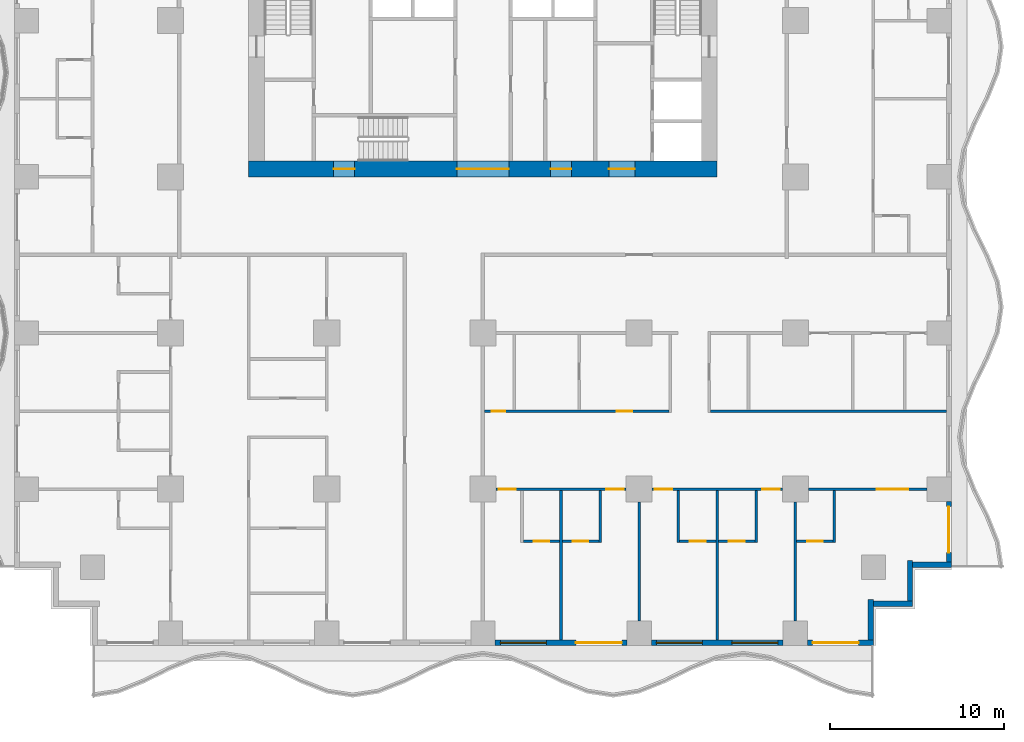
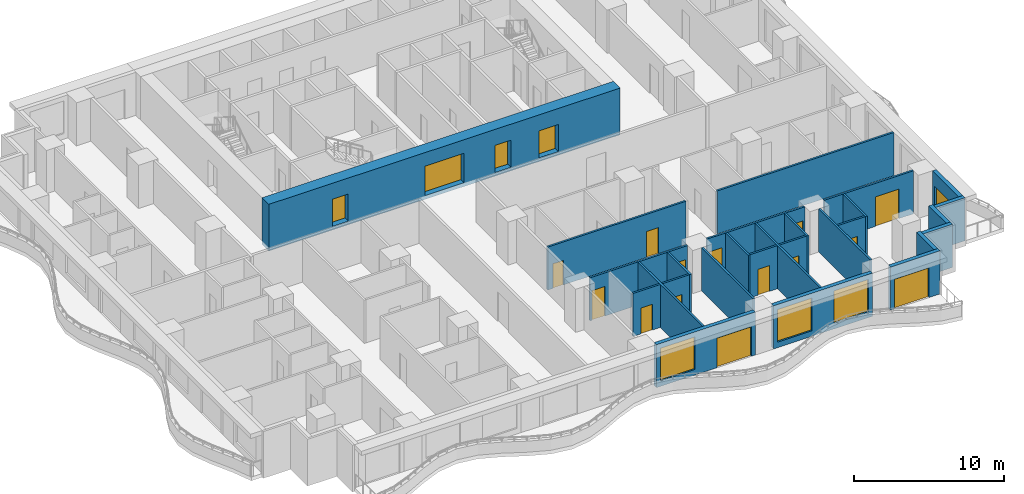
# One storey, part 3 of 13: 27 walls, 19 doors, 3 windows, 22 openings.
"""IFC4 building model written with IfcOpenShell, lengths in metres."""

from ifc_helpers import new_model, si_unit, direction, frame, frame_2d, origin, place, context, subcontext, project, spatial, rectangle, extrude, material, layer, layer_set, type_object, element, fill, save


model = new_model("IFC4")

# Units and contexts
model_context = context("Model", 3, precision=1e-05, world=origin(), true_north=direction((0.0, 1.0)))
body_context = subcontext(model_context, "Body", "Model", "MODEL_VIEW")
ifc_project = project(units=[si_unit("LENGTHUNIT", "METRE"), si_unit("AREAUNIT", "SQUARE_METRE"), si_unit("VOLUMEUNIT", "CUBIC_METRE"), si_unit("PLANEANGLEUNIT", "RADIAN"), si_unit("MASSUNIT", "GRAM", prefix="KILO")], contexts=[model_context])

# Site, building, storey
site_placement = place(None, origin())
site = spatial("IfcSite", under=ifc_project, at=site_placement, CompositionType="ELEMENT")
building_placement = place(site_placement, origin())
building = spatial("IfcBuilding", under=site, at=building_placement, Name="Orbiselva Terraces", CompositionType="ELEMENT")
storey_placement = place(building_placement, frame((0.0, 0.0, 53.0)))
storey = spatial("IfcBuildingStorey", under=building, at=storey_placement, Name="L13", CompositionType="ELEMENT", Elevation=53.0)

# Wall, openings, doors
ifc_material_1 = material(Name="Concrete C80/95", Category="concrete")
ifc_layer_1 = layer(ifc_material_1, 0.9)
ifc_layer_set_1 = layer_set([ifc_layer_1], Name="Concrete C80/95")
wall_type_1 = type_object("IfcWallType", Name="CORE WALL 900", PredefinedType="SHEAR", material=ifc_layer_set_1)
wall_1_placement = place(storey_placement, frame((-13.5, 4.95, -0.3), z_axis=(0.0, 0.0, 1.0), x_axis=(1.0, 0.0, 0.0)))
wall_1 = element("IfcWall", 1, at=wall_1_placement, inside=storey, type_object=wall_type_1, Name="Core wall L13 south", PredefinedType="SHEAR", context=body_context, shape_type="SweptSolid", body=[
    extrude(rectangle(XDim=27.0, YDim=0.9, at=frame_2d((13.5, 0.0))), origin(), (0.0, 0.0, 1.0), 3.8),
])
opening_1_placement = place(wall_1_placement, frame((12.0, 0.0, 0.3)))
opening_1 = element("IfcOpeningElement", 2, at=opening_1_placement, cuts=wall_1, Name="Opening DL3000", PredefinedType="OPENING", context=body_context, shape_type="SweptSolid", body=[
    extrude(rectangle(XDim=3.0, YDim=2.4, at=frame_2d((1.5, 1.2))), frame((0.0, 0.46, 0.0), z_axis=(0.0, -1.0, 0.0), x_axis=(1.0, 0.0, 0.0)), (0.0, 0.0, 1.0), 0.92),
])
opening_2_placement = place(wall_1_placement, frame((4.9, 0.0, 0.3)))
opening_2 = element("IfcOpeningElement", 3, at=opening_2_placement, cuts=wall_1, Name="Opening DS1200", PredefinedType="OPENING", context=body_context, shape_type="SweptSolid", body=[
    extrude(rectangle(XDim=1.2, YDim=2.2, at=frame_2d((0.6, 1.1))), frame((0.0, 0.46, 0.0), z_axis=(0.0, -1.0, 0.0), x_axis=(1.0, 0.0, 0.0)), (0.0, 0.0, 1.0), 0.92),
])
opening_3_placement = place(wall_1_placement, frame((20.75, 0.0, 0.3)))
opening_3 = element("IfcOpeningElement", 4, at=opening_3_placement, cuts=wall_1, Name="Opening DF1500", PredefinedType="OPENING", context=body_context, shape_type="SweptSolid", body=[
    extrude(rectangle(XDim=1.5, YDim=2.2, at=frame_2d((0.75, 1.1))), frame((0.0, 0.46, 0.0), z_axis=(0.0, -1.0, 0.0), x_axis=(1.0, 0.0, 0.0)), (0.0, 0.0, 1.0), 0.92),
])
opening_4_placement = place(wall_1_placement, frame((17.4, 0.0, 0.3)))
opening_4 = element("IfcOpeningElement", 5, at=opening_4_placement, cuts=wall_1, Name="Opening DV1200", PredefinedType="OPENING", context=body_context, shape_type="SweptSolid", body=[
    extrude(rectangle(XDim=1.2, YDim=2.2, at=frame_2d((0.6, 1.1))), frame((0.0, 0.46, 0.0), z_axis=(0.0, -1.0, 0.0), x_axis=(1.0, 0.0, 0.0)), (0.0, 0.0, 1.0), 0.92),
])
ifc_material_2 = material(Name="Steel fire door", Category="steel")
door_type_1 = type_object("IfcDoorType", Name="FFL DOOR 1500", OperationType="DOUBLE_DOOR_SINGLE_SWING", PredefinedType="DOOR", material=ifc_material_2)
door_1_placement = place(opening_3_placement, frame((1.5, 0.0, 0.0), z_axis=(0.0, 0.0, 1.0), x_axis=(-1.0, 0.0, 0.0)))
door_1 = element("IfcDoor", 6, at=door_1_placement, inside=storey, type_object=door_type_1, Name="L13 FIRE-FIGHTING LOBBY door", OperationType="DOUBLE_DOOR_SINGLE_SWING", OverallHeight=2.2, OverallWidth=1.5, PredefinedType="DOOR", context=body_context, shape_type="SweptSolid", body=[
    extrude(rectangle(XDim=1.5, YDim=2.2, at=frame_2d((0.75, 1.1))), frame((0.0, 0.025, 0.0), z_axis=(0.0, -1.0, 0.0), x_axis=(1.0, 0.0, 0.0)), (0.0, 0.0, 1.0), 0.05),
])
fill(opening_3, door_1)
door_type_2 = type_object("IfcDoorType", Name="LOBBY DOOR 3000", OperationType="DOUBLE_DOOR_SINGLE_SWING", PredefinedType="DOOR", material=ifc_material_2)
door_2_placement = place(opening_1_placement, frame((3.0, 0.0, 0.0), z_axis=(0.0, 0.0, 1.0), x_axis=(-1.0, 0.0, 0.0)))
door_2 = element("IfcDoor", 7, at=door_2_placement, inside=storey, type_object=door_type_2, Name="L13 LIFT LOBBY door", OperationType="DOUBLE_DOOR_SINGLE_SWING", OverallHeight=2.4, OverallWidth=3.0, PredefinedType="DOOR", context=body_context, shape_type="SweptSolid", body=[
    extrude(rectangle(XDim=3.0, YDim=2.4, at=frame_2d((1.5, 1.2))), frame((0.0, 0.025, 0.0), z_axis=(0.0, -1.0, 0.0), x_axis=(1.0, 0.0, 0.0)), (0.0, 0.0, 1.0), 0.05),
])
fill(opening_1, door_2)
door_type_3 = type_object("IfcDoorType", Name="SERVICE DOOR 1200", OperationType="NOTDEFINED", PredefinedType="DOOR", material=ifc_material_2)
door_3_placement = place(opening_4_placement, frame((1.2, 0.0, 0.0), z_axis=(0.0, 0.0, 1.0), x_axis=(-1.0, 0.0, 0.0)))
door_3 = element("IfcDoor", 8, at=door_3_placement, inside=storey, type_object=door_type_3, Name="L13 SERVICE ROOM door", OperationType="SINGLE_SWING_RIGHT", OverallHeight=2.2, OverallWidth=1.2, PredefinedType="DOOR", context=body_context, shape_type="SweptSolid", body=[
    extrude(rectangle(XDim=1.2, YDim=2.2, at=frame_2d((0.6, 1.1))), frame((0.0, 0.025, 0.0), z_axis=(0.0, -1.0, 0.0), x_axis=(1.0, 0.0, 0.0)), (0.0, 0.0, 1.0), 0.05),
])
fill(opening_4, door_3)
door_type_4 = type_object("IfcDoorType", Name="STAIR DOOR 1200", OperationType="NOTDEFINED", PredefinedType="DOOR", material=ifc_material_2)
door_4_placement = place(opening_2_placement, frame((1.2, 0.0, 0.0), z_axis=(0.0, 0.0, 1.0), x_axis=(-1.0, 0.0, 0.0)))
door_4 = element("IfcDoor", 9, at=door_4_placement, inside=storey, type_object=door_type_4, Name="L13 EXIT STAIR S3 door", OperationType="SINGLE_SWING_LEFT", OverallHeight=2.2, OverallWidth=1.2, PredefinedType="DOOR", context=body_context, shape_type="SweptSolid", body=[
    extrude(rectangle(XDim=1.2, YDim=2.2, at=frame_2d((0.6, 1.1))), frame((0.0, 0.025, 0.0), z_axis=(0.0, -1.0, 0.0), x_axis=(1.0, 0.0, 0.0)), (0.0, 0.0, 1.0), 0.05),
])
fill(opening_2, door_4)

# Wall, openings, door, window
ifc_material_3 = material(Name="Terracotta cladding on masonry backing", Category="masonry")
ifc_layer_2 = layer(ifc_material_3, 0.3)
ifc_layer_set_2 = layer_set([ifc_layer_2], Name="Terracotta cladding on masonry backing")
wall_type_2 = type_object("IfcWallType", Name="ENV-WALL-TERRACOTTA-300", PredefinedType="SOLIDWALL", material=ifc_layer_set_2)
wall_2_placement = place(storey_placement, frame((8.3, -22.35, 0.0), z_axis=(0.0, 0.0, 1.0), x_axis=(-1.0, 0.0, 0.0)))
wall_2 = element("IfcWall", 10, at=wall_2_placement, inside=storey, type_object=wall_type_2, Name="Facade wall L13 S", PredefinedType="SOLIDWALL", context=body_context, shape_type="SweptSolid", body=[
    extrude(rectangle(XDim=7.6, YDim=0.3, at=frame_2d((3.8, 0.0))), origin(), (0.0, 0.0, 1.0), 3.5),
])
opening_5_placement = place(wall_2_placement, frame((4.65, 0.0, 0.45)))
opening_5 = element("IfcOpeningElement", 11, at=opening_5_placement, cuts=wall_2, Name="Opening WN3", PredefinedType="OPENING", context=body_context, shape_type="SweptSolid", body=[
    extrude(rectangle(XDim=2.65, YDim=2.65, at=frame_2d((1.325, 1.325))), frame((0.0, 0.16, 0.0), z_axis=(0.0, -1.0, 0.0), x_axis=(1.0, 0.0, 0.0)), (0.0, 0.0, 1.0), 0.32),
])
opening_6_placement = place(wall_2_placement, frame((0.3, 0.0, 0.0)))
opening_6 = element("IfcOpeningElement", 12, at=opening_6_placement, cuts=wall_2, Name="Opening Z1-D-E03", PredefinedType="OPENING", context=body_context, shape_type="SweptSolid", body=[
    extrude(rectangle(XDim=2.65, YDim=2.4, at=frame_2d((1.325, 1.2))), frame((0.0, 0.16, 0.0), z_axis=(0.0, -1.0, 0.0), x_axis=(1.0, 0.0, 0.0)), (0.0, 0.0, 1.0), 0.32),
])
ifc_material_4 = material(Name="Clear low-e glazing in aluminium frame", Category="aluminium")
door_type_5 = type_object("IfcDoorType", Name="BALCONY DOOR 2650 X 2400", OperationType="DOUBLE_DOOR_SLIDING", PredefinedType="DOOR", material=ifc_material_4)
door_5_placement = place(opening_6_placement, origin())
door_5 = element("IfcDoor", 13, at=door_5_placement, inside=storey, type_object=door_type_5, Name="Z1-D-E03", OperationType="SINGLE_SWING_LEFT", OverallHeight=2.4, OverallWidth=2.65, PredefinedType="DOOR", context=body_context, shape_type="SweptSolid", body=[
    extrude(rectangle(XDim=2.65, YDim=2.4, at=frame_2d((1.325, 1.2))), frame((0.0, 0.025, 0.0), z_axis=(0.0, -1.0, 0.0), x_axis=(1.0, 0.0, 0.0)), (0.0, 0.0, 1.0), 0.05),
])
fill(opening_6, door_5)
window_type = type_object("IfcWindowType", Name="WINDOW 2650 X 2650 S450", PartitioningType="TRIPLE_PANEL_VERTICAL", PredefinedType="WINDOW", material=ifc_material_4)
window_1_placement = place(opening_5_placement, origin())
window_1 = element("IfcWindow", 14, at=window_1_placement, inside=storey, type_object=window_type, Name="Window L13 S", OverallHeight=2.65, OverallWidth=2.65, PartitioningType="SINGLE_PANEL", PredefinedType="WINDOW", context=body_context, shape_type="SweptSolid", body=[
    extrude(rectangle(XDim=2.65, YDim=2.65, at=frame_2d((1.325, 1.325))), frame((0.0, 0.03, 0.0), z_axis=(0.0, -1.0, 0.0), x_axis=(1.0, 0.0, 0.0)), (0.0, 0.0, 1.0), 0.06),
])
fill(opening_5, window_1)

# Wall, openings, windows
wall_3_placement = place(storey_placement, frame((17.3, -22.35, 0.0), z_axis=(0.0, 0.0, 1.0), x_axis=(-1.0, 0.0, 0.0)))
wall_3 = element("IfcWall", 15, at=wall_3_placement, inside=storey, type_object=wall_type_2, Name="Facade wall L13 S", PredefinedType="SOLIDWALL", context=body_context, shape_type="SweptSolid", body=[
    extrude(rectangle(XDim=7.6, YDim=0.3, at=frame_2d((3.8, 0.0))), origin(), (0.0, 0.0, 1.0), 3.5),
])
opening_7_placement = place(wall_3_placement, frame((4.65, 0.0, 0.45)))
opening_7 = element("IfcOpeningElement", 16, at=opening_7_placement, cuts=wall_3, Name="Opening WN3", PredefinedType="OPENING", context=body_context, shape_type="SweptSolid", body=[
    extrude(rectangle(XDim=2.65, YDim=2.65, at=frame_2d((1.325, 1.325))), frame((0.0, 0.16, 0.0), z_axis=(0.0, -1.0, 0.0), x_axis=(1.0, 0.0, 0.0)), (0.0, 0.0, 1.0), 0.32),
])
opening_8_placement = place(wall_3_placement, frame((0.3, 0.0, 0.45)))
opening_8 = element("IfcOpeningElement", 17, at=opening_8_placement, cuts=wall_3, Name="Opening WN3", PredefinedType="OPENING", context=body_context, shape_type="SweptSolid", body=[
    extrude(rectangle(XDim=2.65, YDim=2.65, at=frame_2d((1.325, 1.325))), frame((0.0, 0.16, 0.0), z_axis=(0.0, -1.0, 0.0), x_axis=(1.0, 0.0, 0.0)), (0.0, 0.0, 1.0), 0.32),
])
window_2_placement = place(opening_7_placement, origin())
window_2 = element("IfcWindow", 18, at=window_2_placement, inside=storey, type_object=window_type, Name="Window L13 S", OverallHeight=2.65, OverallWidth=2.65, PartitioningType="SINGLE_PANEL", PredefinedType="WINDOW", context=body_context, shape_type="SweptSolid", body=[
    extrude(rectangle(XDim=2.65, YDim=2.65, at=frame_2d((1.325, 1.325))), frame((0.0, 0.03, 0.0), z_axis=(0.0, -1.0, 0.0), x_axis=(1.0, 0.0, 0.0)), (0.0, 0.0, 1.0), 0.06),
])
fill(opening_7, window_2)
window_3_placement = place(opening_8_placement, origin())
window_3 = element("IfcWindow", 19, at=window_3_placement, inside=storey, type_object=window_type, Name="Window L13 S", OverallHeight=2.65, OverallWidth=2.65, PartitioningType="SINGLE_PANEL", PredefinedType="WINDOW", context=body_context, shape_type="SweptSolid", body=[
    extrude(rectangle(XDim=2.65, YDim=2.65, at=frame_2d((1.325, 1.325))), frame((0.0, 0.03, 0.0), z_axis=(0.0, -1.0, 0.0), x_axis=(1.0, 0.0, 0.0)), (0.0, 0.0, 1.0), 0.06),
])
fill(opening_8, window_3)

# Wall, opening, door
wall_4_placement = place(storey_placement, frame((22.5, -22.35, 0.0), z_axis=(0.0, 0.0, 1.0), x_axis=(-1.0, 0.0, 0.0)))
wall_4 = element("IfcWall", 20, at=wall_4_placement, inside=storey, type_object=wall_type_2, Name="Facade wall L13 S", PredefinedType="SOLIDWALL", context=body_context, shape_type="SweptSolid", body=[
    extrude(rectangle(XDim=3.8, YDim=0.3, at=frame_2d((1.9, 0.0))), origin(), (0.0, 0.0, 1.0), 3.5),
])
opening_9_placement = place(wall_4_placement, frame((0.85, 0.0, 0.0)))
opening_9 = element("IfcOpeningElement", 21, at=opening_9_placement, cuts=wall_4, Name="Opening Z1-D-E15", PredefinedType="OPENING", context=body_context, shape_type="SweptSolid", body=[
    extrude(rectangle(XDim=2.65, YDim=2.4, at=frame_2d((1.325, 1.2))), frame((0.0, 0.16, 0.0), z_axis=(0.0, -1.0, 0.0), x_axis=(1.0, 0.0, 0.0)), (0.0, 0.0, 1.0), 0.32),
])
door_6_placement = place(opening_9_placement, origin())
door_6 = element("IfcDoor", 22, at=door_6_placement, inside=storey, type_object=door_type_5, Name="Z1-D-E15", OperationType="SINGLE_SWING_LEFT", OverallHeight=2.4, OverallWidth=2.65, PredefinedType="DOOR", context=body_context, shape_type="SweptSolid", body=[
    extrude(rectangle(XDim=2.65, YDim=2.4, at=frame_2d((1.325, 1.2))), frame((0.0, 0.025, 0.0), z_axis=(0.0, -1.0, 0.0), x_axis=(1.0, 0.0, 0.0)), (0.0, 0.0, 1.0), 0.05),
])
fill(opening_9, door_6)

# Walls
wall_5_placement = place(storey_placement, frame((22.35, -19.85, 0.0), z_axis=(0.0, 0.0, 1.0), x_axis=(0.0, -1.0, 0.0)))
element("IfcWall", 23, at=wall_5_placement, inside=storey, type_object=wall_type_2, Name="Facade wall L13 STEP", PredefinedType="SOLIDWALL", context=body_context, shape_type="SweptSolid", body=[
    extrude(rectangle(XDim=2.35, YDim=0.3, at=frame_2d((1.175, 0.0))), origin(), (0.0, 0.0, 1.0), 3.5),
])
wall_6_placement = place(storey_placement, frame((24.75, -20.1, 0.0), z_axis=(0.0, 0.0, 1.0), x_axis=(-1.0, 0.0, 0.0)))
element("IfcWall", 24, at=wall_6_placement, inside=storey, type_object=wall_type_2, Name="Facade wall L13 STEP", PredefinedType="SOLIDWALL", context=body_context, shape_type="SweptSolid", body=[
    extrude(rectangle(XDim=2.25, YDim=0.3, at=frame_2d((1.125, 0.0))), origin(), (0.0, 0.0, 1.0), 3.5),
])
wall_7_placement = place(storey_placement, frame((24.6, -17.6, 0.0), z_axis=(0.0, 0.0, 1.0), x_axis=(0.0, -1.0, 0.0)))
element("IfcWall", 25, at=wall_7_placement, inside=storey, type_object=wall_type_2, Name="Facade wall L13 STEP", PredefinedType="SOLIDWALL", context=body_context, shape_type="SweptSolid", body=[
    extrude(rectangle(XDim=2.35, YDim=0.3, at=frame_2d((1.175, 0.0))), origin(), (0.0, 0.0, 1.0), 3.5),
])
wall_8_placement = place(storey_placement, frame((27.0, -17.85, 0.0), z_axis=(0.0, 0.0, 1.0), x_axis=(-1.0, 0.0, 0.0)))
element("IfcWall", 26, at=wall_8_placement, inside=storey, type_object=wall_type_2, Name="Facade wall L13 STEP", PredefinedType="SOLIDWALL", context=body_context, shape_type="SweptSolid", body=[
    extrude(rectangle(XDim=2.25, YDim=0.3, at=frame_2d((1.125, 0.0))), origin(), (0.0, 0.0, 1.0), 3.5),
])

# Wall, opening, door
wall_9_placement = place(storey_placement, frame((26.85, -14.2, 0.0), z_axis=(0.0, 0.0, 1.0), x_axis=(0.0, -1.0, 0.0)))
wall_9 = element("IfcWall", 27, at=wall_9_placement, inside=storey, type_object=wall_type_2, Name="Facade wall L13 E", PredefinedType="SOLIDWALL", context=body_context, shape_type="SweptSolid", body=[
    extrude(rectangle(XDim=3.5, YDim=0.3, at=frame_2d((1.75, 0.0))), origin(), (0.0, 0.0, 1.0), 3.5),
])
opening_10_placement = place(wall_9_placement, frame((0.3, 0.0, 0.0)))
opening_10 = element("IfcOpeningElement", 28, at=opening_10_placement, cuts=wall_9, Name="Opening Z1-D-E05", PredefinedType="OPENING", context=body_context, shape_type="SweptSolid", body=[
    extrude(rectangle(XDim=2.65, YDim=2.4, at=frame_2d((1.325, 1.2))), frame((0.0, 0.16, 0.0), z_axis=(0.0, -1.0, 0.0), x_axis=(1.0, 0.0, 0.0)), (0.0, 0.0, 1.0), 0.32),
])
door_7_placement = place(opening_10_placement, origin())
door_7 = element("IfcDoor", 29, at=door_7_placement, inside=storey, type_object=door_type_5, Name="Z1-D-E05", OperationType="SINGLE_SWING_LEFT", OverallHeight=2.4, OverallWidth=2.65, PredefinedType="DOOR", context=body_context, shape_type="SweptSolid", body=[
    extrude(rectangle(XDim=2.65, YDim=2.4, at=frame_2d((1.325, 1.2))), frame((0.0, 0.025, 0.0), z_axis=(0.0, -1.0, 0.0), x_axis=(1.0, 0.0, 0.0)), (0.0, 0.0, 1.0), 0.05),
])
fill(opening_10, door_7)

ifc_material_5 = material(Name="Plasterboard on steel stud partition", Category="steel")
ifc_layer_3 = layer(ifc_material_5, 0.15)
ifc_layer_set_3 = layer_set([ifc_layer_3], Name="Plasterboard on steel stud partition")
wall_type_3 = type_object("IfcWallType", Name="UNIT-PARTITION-150", PredefinedType="PARTITIONING", material=ifc_layer_set_3)
wall_10_placement = place(storey_placement, frame((2.325, -16.5, 0.0), z_axis=(0.0, 0.0, 1.0), x_axis=(1.0, 0.0, 0.0)))
wall_10 = element("IfcWall", 30, at=wall_10_placement, inside=storey, type_object=wall_type_3, Name="PARTITION L13-002", PredefinedType="PARTITIONING", context=body_context, shape_type="SweptSolid", body=[
    extrude(rectangle(XDim=2.1, YDim=0.15, at=frame_2d((1.05, 0.0))), origin(), (0.0, 0.0, 1.0), 3.5),
])
opening_11_placement = place(wall_10_placement, frame((0.6, 0.0, 0.0)))
opening_11 = element("IfcOpeningElement", 31, at=opening_11_placement, cuts=wall_10, Name="Opening Z1-D-44", PredefinedType="OPENING", context=body_context, shape_type="SweptSolid", body=[
    extrude(rectangle(XDim=0.9, YDim=2.1, at=frame_2d((0.45, 1.05))), frame((0.0, 0.085, 0.0), z_axis=(0.0, -1.0, 0.0), x_axis=(1.0, 0.0, 0.0)), (0.0, 0.0, 1.0), 0.17),
])
ifc_material_6 = material(Name="Painted timber door leaf", Category="wood")
door_type_6 = type_object("IfcDoorType", Name="BATH DOOR 900", OperationType="NOTDEFINED", PredefinedType="DOOR", material=ifc_material_6)
door_8_placement = place(opening_11_placement, origin())
door_8 = element("IfcDoor", 32, at=door_8_placement, inside=storey, type_object=door_type_6, Name="Z1-D-44", OperationType="SINGLE_SWING_RIGHT", OverallHeight=2.1, OverallWidth=0.9, PredefinedType="DOOR", context=body_context, shape_type="SweptSolid", body=[
    extrude(rectangle(XDim=0.9, YDim=2.1, at=frame_2d((0.45, 1.05))), frame((0.0, 0.025, 0.0), z_axis=(0.0, -1.0, 0.0), x_axis=(1.0, 0.0, 0.0)), (0.0, 0.0, 1.0), 0.05),
])
fill(opening_11, door_8)

wall_11_placement = place(storey_placement, frame((4.575, -16.5, 0.0), z_axis=(0.0, 0.0, 1.0), x_axis=(1.0, 0.0, 0.0)))
wall_11 = element("IfcWall", 33, at=wall_11_placement, inside=storey, type_object=wall_type_3, Name="PARTITION L13-003", PredefinedType="PARTITIONING", context=body_context, shape_type="SweptSolid", body=[
    extrude(rectangle(XDim=2.1, YDim=0.15, at=frame_2d((1.05, 0.0))), origin(), (0.0, 0.0, 1.0), 3.5),
])
opening_12_placement = place(wall_11_placement, frame((0.6, 0.0, 0.0)))
opening_12 = element("IfcOpeningElement", 34, at=opening_12_placement, cuts=wall_11, Name="Opening Z1-D-42", PredefinedType="OPENING", context=body_context, shape_type="SweptSolid", body=[
    extrude(rectangle(XDim=0.9, YDim=2.1, at=frame_2d((0.45, 1.05))), frame((0.0, 0.085, 0.0), z_axis=(0.0, -1.0, 0.0), x_axis=(1.0, 0.0, 0.0)), (0.0, 0.0, 1.0), 0.17),
])
door_9_placement = place(opening_12_placement, origin())
door_9 = element("IfcDoor", 35, at=door_9_placement, inside=storey, type_object=door_type_6, Name="Z1-D-42", OperationType="SINGLE_SWING_LEFT", OverallHeight=2.1, OverallWidth=0.9, PredefinedType="DOOR", context=body_context, shape_type="SweptSolid", body=[
    extrude(rectangle(XDim=0.9, YDim=2.1, at=frame_2d((0.45, 1.05))), frame((0.0, 0.025, 0.0), z_axis=(0.0, -1.0, 0.0), x_axis=(1.0, 0.0, 0.0)), (0.0, 0.0, 1.0), 0.05),
])
fill(opening_12, door_9)

wall_12_placement = place(storey_placement, frame((11.325, -16.5, 0.0), z_axis=(0.0, 0.0, 1.0), x_axis=(1.0, 0.0, 0.0)))
wall_12 = element("IfcWall", 36, at=wall_12_placement, inside=storey, type_object=wall_type_3, Name="PARTITION L13-004", PredefinedType="PARTITIONING", context=body_context, shape_type="SweptSolid", body=[
    extrude(rectangle(XDim=2.1, YDim=0.15, at=frame_2d((1.05, 0.0))), origin(), (0.0, 0.0, 1.0), 3.5),
])
opening_13_placement = place(wall_12_placement, frame((0.6, 0.0, 0.0)))
opening_13 = element("IfcOpeningElement", 37, at=opening_13_placement, cuts=wall_12, Name="Opening Z1-D-40", PredefinedType="OPENING", context=body_context, shape_type="SweptSolid", body=[
    extrude(rectangle(XDim=0.9, YDim=2.1, at=frame_2d((0.45, 1.05))), frame((0.0, 0.085, 0.0), z_axis=(0.0, -1.0, 0.0), x_axis=(1.0, 0.0, 0.0)), (0.0, 0.0, 1.0), 0.17),
])
door_10_placement = place(opening_13_placement, origin())
door_10 = element("IfcDoor", 38, at=door_10_placement, inside=storey, type_object=door_type_6, Name="Z1-D-40", OperationType="SINGLE_SWING_LEFT", OverallHeight=2.1, OverallWidth=0.9, PredefinedType="DOOR", context=body_context, shape_type="SweptSolid", body=[
    extrude(rectangle(XDim=0.9, YDim=2.1, at=frame_2d((0.45, 1.05))), frame((0.0, 0.025, 0.0), z_axis=(0.0, -1.0, 0.0), x_axis=(1.0, 0.0, 0.0)), (0.0, 0.0, 1.0), 0.05),
])
fill(opening_13, door_10)

wall_13_placement = place(storey_placement, frame((13.575, -16.5, 0.0), z_axis=(0.0, 0.0, 1.0), x_axis=(1.0, 0.0, 0.0)))
wall_13 = element("IfcWall", 39, at=wall_13_placement, inside=storey, type_object=wall_type_3, Name="PARTITION L13-005", PredefinedType="PARTITIONING", context=body_context, shape_type="SweptSolid", body=[
    extrude(rectangle(XDim=2.1, YDim=0.15, at=frame_2d((1.05, 0.0))), origin(), (0.0, 0.0, 1.0), 3.5),
])
opening_14_placement = place(wall_13_placement, frame((0.6, 0.0, 0.0)))
opening_14 = element("IfcOpeningElement", 40, at=opening_14_placement, cuts=wall_13, Name="Opening Z1-D-38", PredefinedType="OPENING", context=body_context, shape_type="SweptSolid", body=[
    extrude(rectangle(XDim=0.9, YDim=2.1, at=frame_2d((0.45, 1.05))), frame((0.0, 0.085, 0.0), z_axis=(0.0, -1.0, 0.0), x_axis=(1.0, 0.0, 0.0)), (0.0, 0.0, 1.0), 0.17),
])
door_11_placement = place(opening_14_placement, origin())
door_11 = element("IfcDoor", 41, at=door_11_placement, inside=storey, type_object=door_type_6, Name="Z1-D-38", OperationType="SINGLE_SWING_LEFT", OverallHeight=2.1, OverallWidth=0.9, PredefinedType="DOOR", context=body_context, shape_type="SweptSolid", body=[
    extrude(rectangle(XDim=0.9, YDim=2.1, at=frame_2d((0.45, 1.05))), frame((0.0, 0.025, 0.0), z_axis=(0.0, -1.0, 0.0), x_axis=(1.0, 0.0, 0.0)), (0.0, 0.0, 1.0), 0.05),
])
fill(opening_14, door_11)

wall_14_placement = place(storey_placement, frame((18.075, -16.5, 0.0), z_axis=(0.0, 0.0, 1.0), x_axis=(1.0, 0.0, 0.0)))
wall_14 = element("IfcWall", 42, at=wall_14_placement, inside=storey, type_object=wall_type_3, Name="PARTITION L13-006", PredefinedType="PARTITIONING", context=body_context, shape_type="SweptSolid", body=[
    extrude(rectangle(XDim=2.1, YDim=0.15, at=frame_2d((1.05, 0.0))), origin(), (0.0, 0.0, 1.0), 3.5),
])
opening_15_placement = place(wall_14_placement, frame((0.6, 0.0, 0.0)))
opening_15 = element("IfcOpeningElement", 43, at=opening_15_placement, cuts=wall_14, Name="Opening Z1-D-36", PredefinedType="OPENING", context=body_context, shape_type="SweptSolid", body=[
    extrude(rectangle(XDim=0.9, YDim=2.1, at=frame_2d((0.45, 1.05))), frame((0.0, 0.085, 0.0), z_axis=(0.0, -1.0, 0.0), x_axis=(1.0, 0.0, 0.0)), (0.0, 0.0, 1.0), 0.17),
])
door_12_placement = place(opening_15_placement, origin())
door_12 = element("IfcDoor", 44, at=door_12_placement, inside=storey, type_object=door_type_6, Name="Z1-D-36", OperationType="SINGLE_SWING_LEFT", OverallHeight=2.1, OverallWidth=0.9, PredefinedType="DOOR", context=body_context, shape_type="SweptSolid", body=[
    extrude(rectangle(XDim=0.9, YDim=2.1, at=frame_2d((0.45, 1.05))), frame((0.0, 0.025, 0.0), z_axis=(0.0, -1.0, 0.0), x_axis=(1.0, 0.0, 0.0)), (0.0, 0.0, 1.0), 0.05),
])
fill(opening_15, door_12)

# Wall, openings, doors
wall_15_placement = place(storey_placement, frame((8.25, -13.5, 0.0), z_axis=(0.0, 0.0, 1.0), x_axis=(-1.0, 0.0, 0.0)))
wall_15 = element("IfcWall", 45, at=wall_15_placement, inside=storey, type_object=wall_type_3, Name="PARTITION L13-010", PredefinedType="PARTITIONING", context=body_context, shape_type="SweptSolid", body=[
    extrude(rectangle(XDim=7.5, YDim=0.15, at=frame_2d((3.75, 0.0))), origin(), (0.0, 0.0, 1.0), 3.5),
])
opening_16_placement = place(wall_15_placement, frame((0.15, 0.0, 0.0)))
opening_16 = element("IfcOpeningElement", 46, at=opening_16_placement, cuts=wall_15, Name="Opening Z1-D-41", PredefinedType="OPENING", context=body_context, shape_type="SweptSolid", body=[
    extrude(rectangle(XDim=1.0, YDim=2.4, at=frame_2d((0.5, 1.2))), frame((0.0, 0.085, 0.0), z_axis=(0.0, -1.0, 0.0), x_axis=(1.0, 0.0, 0.0)), (0.0, 0.0, 1.0), 0.17),
])
opening_17_placement = place(wall_15_placement, frame((6.35, 0.0, 0.0)))
opening_17 = element("IfcOpeningElement", 47, at=opening_17_placement, cuts=wall_15, Name="Opening Z1-D-43", PredefinedType="OPENING", context=body_context, shape_type="SweptSolid", body=[
    extrude(rectangle(XDim=1.0, YDim=2.4, at=frame_2d((0.5, 1.2))), frame((0.0, 0.085, 0.0), z_axis=(0.0, -1.0, 0.0), x_axis=(1.0, 0.0, 0.0)), (0.0, 0.0, 1.0), 0.17),
])
door_type_7 = type_object("IfcDoorType", Name="ROOM DOOR 1000", OperationType="NOTDEFINED", PredefinedType="DOOR", material=ifc_material_6)
door_13_placement = place(opening_16_placement, origin())
door_13 = element("IfcDoor", 48, at=door_13_placement, inside=storey, type_object=door_type_7, Name="Z1-D-41", OperationType="SINGLE_SWING_LEFT", OverallHeight=2.4, OverallWidth=1.0, PredefinedType="DOOR", context=body_context, shape_type="SweptSolid", body=[
    extrude(rectangle(XDim=1.0, YDim=2.4, at=frame_2d((0.5, 1.2))), frame((0.0, 0.025, 0.0), z_axis=(0.0, -1.0, 0.0), x_axis=(1.0, 0.0, 0.0)), (0.0, 0.0, 1.0), 0.05),
])
fill(opening_16, door_13)
door_14_placement = place(opening_17_placement, origin())
door_14 = element("IfcDoor", 49, at=door_14_placement, inside=storey, type_object=door_type_7, Name="Z1-D-43", OperationType="SINGLE_SWING_RIGHT", OverallHeight=2.4, OverallWidth=1.0, PredefinedType="DOOR", context=body_context, shape_type="SweptSolid", body=[
    extrude(rectangle(XDim=1.0, YDim=2.4, at=frame_2d((0.5, 1.2))), frame((0.0, 0.025, 0.0), z_axis=(0.0, -1.0, 0.0), x_axis=(1.0, 0.0, 0.0)), (0.0, 0.0, 1.0), 0.05),
])
fill(opening_17, door_14)

wall_16_placement = place(storey_placement, frame((17.25, -13.5, 0.0), z_axis=(0.0, 0.0, 1.0), x_axis=(-1.0, 0.0, 0.0)))
wall_16 = element("IfcWall", 50, at=wall_16_placement, inside=storey, type_object=wall_type_3, Name="PARTITION L13-011", PredefinedType="PARTITIONING", context=body_context, shape_type="SweptSolid", body=[
    extrude(rectangle(XDim=7.5, YDim=0.15, at=frame_2d((3.75, 0.0))), origin(), (0.0, 0.0, 1.0), 3.5),
])
opening_18_placement = place(wall_16_placement, frame((0.15, 0.0, 0.0)))
opening_18 = element("IfcOpeningElement", 51, at=opening_18_placement, cuts=wall_16, Name="Opening Z1-D-37", PredefinedType="OPENING", context=body_context, shape_type="SweptSolid", body=[
    extrude(rectangle(XDim=1.0, YDim=2.4, at=frame_2d((0.5, 1.2))), frame((0.0, 0.085, 0.0), z_axis=(0.0, -1.0, 0.0), x_axis=(1.0, 0.0, 0.0)), (0.0, 0.0, 1.0), 0.17),
])
opening_19_placement = place(wall_16_placement, frame((6.35, 0.0, 0.0)))
opening_19 = element("IfcOpeningElement", 52, at=opening_19_placement, cuts=wall_16, Name="Opening Z1-D-39", PredefinedType="OPENING", context=body_context, shape_type="SweptSolid", body=[
    extrude(rectangle(XDim=1.0, YDim=2.4, at=frame_2d((0.5, 1.2))), frame((0.0, 0.085, 0.0), z_axis=(0.0, -1.0, 0.0), x_axis=(1.0, 0.0, 0.0)), (0.0, 0.0, 1.0), 0.17),
])
door_15_placement = place(opening_18_placement, origin())
door_15 = element("IfcDoor", 53, at=door_15_placement, inside=storey, type_object=door_type_7, Name="Z1-D-37", OperationType="SINGLE_SWING_LEFT", OverallHeight=2.4, OverallWidth=1.0, PredefinedType="DOOR", context=body_context, shape_type="SweptSolid", body=[
    extrude(rectangle(XDim=1.0, YDim=2.4, at=frame_2d((0.5, 1.2))), frame((0.0, 0.025, 0.0), z_axis=(0.0, -1.0, 0.0), x_axis=(1.0, 0.0, 0.0)), (0.0, 0.0, 1.0), 0.05),
])
fill(opening_18, door_15)
door_16_placement = place(opening_19_placement, origin())
door_16 = element("IfcDoor", 54, at=door_16_placement, inside=storey, type_object=door_type_7, Name="Z1-D-39", OperationType="SINGLE_SWING_RIGHT", OverallHeight=2.4, OverallWidth=1.0, PredefinedType="DOOR", context=body_context, shape_type="SweptSolid", body=[
    extrude(rectangle(XDim=1.0, YDim=2.4, at=frame_2d((0.5, 1.2))), frame((0.0, 0.025, 0.0), z_axis=(0.0, -1.0, 0.0), x_axis=(1.0, 0.0, 0.0)), (0.0, 0.0, 1.0), 0.05),
])
fill(opening_19, door_16)

# Wall, opening, door
wall_17_placement = place(storey_placement, frame((25.6, -13.5, 0.0), z_axis=(0.0, 0.0, 1.0), x_axis=(-1.0, 0.0, 0.0)))
wall_17 = element("IfcWall", 55, at=wall_17_placement, inside=storey, type_object=wall_type_3, Name="PARTITION L13-012", PredefinedType="PARTITIONING", context=body_context, shape_type="SweptSolid", body=[
    extrude(rectangle(XDim=6.85, YDim=0.15, at=frame_2d((3.425, 0.0))), origin(), (0.0, 0.0, 1.0), 3.5),
])
opening_20_placement = place(wall_17_placement, frame((1.1, 0.0, 0.0)))
opening_20 = element("IfcOpeningElement", 56, at=opening_20_placement, cuts=wall_17, Name="Opening Z1-D-35", PredefinedType="OPENING", context=body_context, shape_type="SweptSolid", body=[
    extrude(rectangle(XDim=1.8, YDim=2.4, at=frame_2d((0.9, 1.2))), frame((0.0, 0.085, 0.0), z_axis=(0.0, -1.0, 0.0), x_axis=(1.0, 0.0, 0.0)), (0.0, 0.0, 1.0), 0.17),
])
door_type_8 = type_object("IfcDoorType", Name="DOUBLE DOOR 1800", OperationType="NOTDEFINED", PredefinedType="DOOR", material=ifc_material_6)
door_17_placement = place(opening_20_placement, origin())
door_17 = element("IfcDoor", 57, at=door_17_placement, inside=storey, type_object=door_type_8, Name="Z1-D-35", OperationType="DOUBLE_DOOR_SINGLE_SWING", OverallHeight=2.4, OverallWidth=1.8, PredefinedType="DOOR", context=body_context, shape_type="SweptSolid", body=[
    extrude(rectangle(XDim=1.8, YDim=2.4, at=frame_2d((0.9, 1.2))), frame((0.0, 0.025, 0.0), z_axis=(0.0, -1.0, 0.0), x_axis=(1.0, 0.0, 0.0)), (0.0, 0.0, 1.0), 0.05),
])
fill(opening_20, door_17)

# Wall, openings, doors
wall_18_placement = place(storey_placement, frame((0.1, -9.0, 0.0), z_axis=(0.0, 0.0, 1.0), x_axis=(1.0, 0.0, 0.0)))
wall_18 = element("IfcWall", 58, at=wall_18_placement, inside=storey, type_object=wall_type_3, Name="PARTITION L13-017", PredefinedType="PARTITIONING", context=body_context, shape_type="SweptSolid", body=[
    extrude(rectangle(XDim=10.625, YDim=0.15, at=frame_2d((5.3125, 0.0))), origin(), (0.0, 0.0, 1.0), 3.5),
])
opening_21_placement = place(wall_18_placement, frame((7.6, 0.0, 0.0)))
opening_21 = element("IfcOpeningElement", 59, at=opening_21_placement, cuts=wall_18, Name="Opening Z1-D-32", PredefinedType="OPENING", context=body_context, shape_type="SweptSolid", body=[
    extrude(rectangle(XDim=0.9, YDim=2.1, at=frame_2d((0.45, 1.05))), frame((0.0, 0.085, 0.0), z_axis=(0.0, -1.0, 0.0), x_axis=(1.0, 0.0, 0.0)), (0.0, 0.0, 1.0), 0.17),
])
opening_22_placement = place(wall_18_placement, frame((0.4, 0.0, 0.0)))
opening_22 = element("IfcOpeningElement", 60, at=opening_22_placement, cuts=wall_18, Name="Opening Z1-D-34", PredefinedType="OPENING", context=body_context, shape_type="SweptSolid", body=[
    extrude(rectangle(XDim=0.8, YDim=2.0, at=frame_2d((0.4, 1.0))), frame((0.0, 0.085, 0.0), z_axis=(0.0, -1.0, 0.0), x_axis=(1.0, 0.0, 0.0)), (0.0, 0.0, 1.0), 0.17),
])
door_type_9 = type_object("IfcDoorType", Name="SERVICE DOOR 900", OperationType="NOTDEFINED", PredefinedType="DOOR", material=ifc_material_6)
door_18_placement = place(opening_21_placement, origin())
door_18 = element("IfcDoor", 61, at=door_18_placement, inside=storey, type_object=door_type_9, Name="Z1-D-32", OperationType="SINGLE_SWING_RIGHT", OverallHeight=2.1, OverallWidth=0.9, PredefinedType="DOOR", context=body_context, shape_type="SweptSolid", body=[
    extrude(rectangle(XDim=0.9, YDim=2.1, at=frame_2d((0.45, 1.05))), frame((0.0, 0.025, 0.0), z_axis=(0.0, -1.0, 0.0), x_axis=(1.0, 0.0, 0.0)), (0.0, 0.0, 1.0), 0.05),
])
fill(opening_21, door_18)
door_type_10 = type_object("IfcDoorType", Name="STORE DOOR 800", OperationType="NOTDEFINED", PredefinedType="DOOR", material=ifc_material_6)
door_19_placement = place(opening_22_placement, origin())
door_19 = element("IfcDoor", 62, at=door_19_placement, inside=storey, type_object=door_type_10, Name="Z1-D-34", OperationType="SINGLE_SWING_LEFT", OverallHeight=2.0, OverallWidth=0.8, PredefinedType="DOOR", context=body_context, shape_type="SweptSolid", body=[
    extrude(rectangle(XDim=0.8, YDim=2.0, at=frame_2d((0.4, 1.0))), frame((0.0, 0.025, 0.0), z_axis=(0.0, -1.0, 0.0), x_axis=(1.0, 0.0, 0.0)), (0.0, 0.0, 1.0), 0.05),
])
fill(opening_22, door_19)

# Walls
wall_19_placement = place(storey_placement, frame((13.125, -9.0, 0.0), z_axis=(0.0, 0.0, 1.0), x_axis=(1.0, 0.0, 0.0)))
element("IfcWall", 63, at=wall_19_placement, inside=storey, type_object=wall_type_3, Name="PARTITION L13-018", PredefinedType="PARTITIONING", context=body_context, shape_type="SweptSolid", body=[
    extrude(rectangle(XDim=13.575, YDim=0.15, at=frame_2d((6.7875, 0.0))), origin(), (0.0, 0.0, 1.0), 3.5),
])
wall_20_placement = place(storey_placement, frame((4.5, -22.2, 0.0), z_axis=(0.0, 0.0, 1.0), x_axis=(0.0, 1.0, 0.0)))
element("IfcWall", 64, at=wall_20_placement, inside=storey, type_object=wall_type_3, Name="PARTITION L13-065", PredefinedType="PARTITIONING", context=body_context, shape_type="SweptSolid", body=[
    extrude(rectangle(XDim=8.625, YDim=0.15, at=frame_2d((4.3125, 0.0))), origin(), (0.0, 0.0, 1.0), 3.5),
])
wall_21_placement = place(storey_placement, frame((6.75, -16.575, 0.0), z_axis=(0.0, 0.0, 1.0), x_axis=(0.0, 1.0, 0.0)))
element("IfcWall", 65, at=wall_21_placement, inside=storey, type_object=wall_type_3, Name="PARTITION L13-067", PredefinedType="PARTITIONING", context=body_context, shape_type="SweptSolid", body=[
    extrude(rectangle(XDim=3.0, YDim=0.15, at=frame_2d((1.5, 0.0))), origin(), (0.0, 0.0, 1.0), 3.5),
])
wall_22_placement = place(storey_placement, frame((9.0, -21.1, 0.0), z_axis=(0.0, 0.0, 1.0), x_axis=(0.0, 1.0, 0.0)))
element("IfcWall", 66, at=wall_22_placement, inside=storey, type_object=wall_type_3, Name="PARTITION L13-068", PredefinedType="PARTITIONING", context=body_context, shape_type="SweptSolid", body=[
    extrude(rectangle(XDim=6.85, YDim=0.15, at=frame_2d((3.425, 0.0))), origin(), (0.0, 0.0, 1.0), 3.5),
])
wall_23_placement = place(storey_placement, frame((11.25, -16.575, 0.0), z_axis=(0.0, 0.0, 1.0), x_axis=(0.0, 1.0, 0.0)))
element("IfcWall", 67, at=wall_23_placement, inside=storey, type_object=wall_type_3, Name="PARTITION L13-070", PredefinedType="PARTITIONING", context=body_context, shape_type="SweptSolid", body=[
    extrude(rectangle(XDim=3.0, YDim=0.15, at=frame_2d((1.5, 0.0))), origin(), (0.0, 0.0, 1.0), 3.5),
])
wall_24_placement = place(storey_placement, frame((13.5, -22.2, 0.0), z_axis=(0.0, 0.0, 1.0), x_axis=(0.0, 1.0, 0.0)))
element("IfcWall", 68, at=wall_24_placement, inside=storey, type_object=wall_type_3, Name="PARTITION L13-072", PredefinedType="PARTITIONING", context=body_context, shape_type="SweptSolid", body=[
    extrude(rectangle(XDim=8.625, YDim=0.15, at=frame_2d((4.3125, 0.0))), origin(), (0.0, 0.0, 1.0), 3.5),
])
wall_25_placement = place(storey_placement, frame((15.75, -16.575, 0.0), z_axis=(0.0, 0.0, 1.0), x_axis=(0.0, 1.0, 0.0)))
element("IfcWall", 69, at=wall_25_placement, inside=storey, type_object=wall_type_3, Name="PARTITION L13-074", PredefinedType="PARTITIONING", context=body_context, shape_type="SweptSolid", body=[
    extrude(rectangle(XDim=3.0, YDim=0.15, at=frame_2d((1.5, 0.0))), origin(), (0.0, 0.0, 1.0), 3.5),
])
wall_26_placement = place(storey_placement, frame((18.0, -21.1, 0.0), z_axis=(0.0, 0.0, 1.0), x_axis=(0.0, 1.0, 0.0)))
element("IfcWall", 70, at=wall_26_placement, inside=storey, type_object=wall_type_3, Name="PARTITION L13-078", PredefinedType="PARTITIONING", context=body_context, shape_type="SweptSolid", body=[
    extrude(rectangle(XDim=6.85, YDim=0.15, at=frame_2d((3.425, 0.0))), origin(), (0.0, 0.0, 1.0), 3.5),
])
wall_27_placement = place(storey_placement, frame((20.25, -16.575, 0.0), z_axis=(0.0, 0.0, 1.0), x_axis=(0.0, 1.0, 0.0)))
element("IfcWall", 71, at=wall_27_placement, inside=storey, type_object=wall_type_3, Name="PARTITION L13-079", PredefinedType="PARTITIONING", context=body_context, shape_type="SweptSolid", body=[
    extrude(rectangle(XDim=3.0, YDim=0.15, at=frame_2d((1.5, 0.0))), origin(), (0.0, 0.0, 1.0), 3.5),
])

save(model, "model.ifc")
